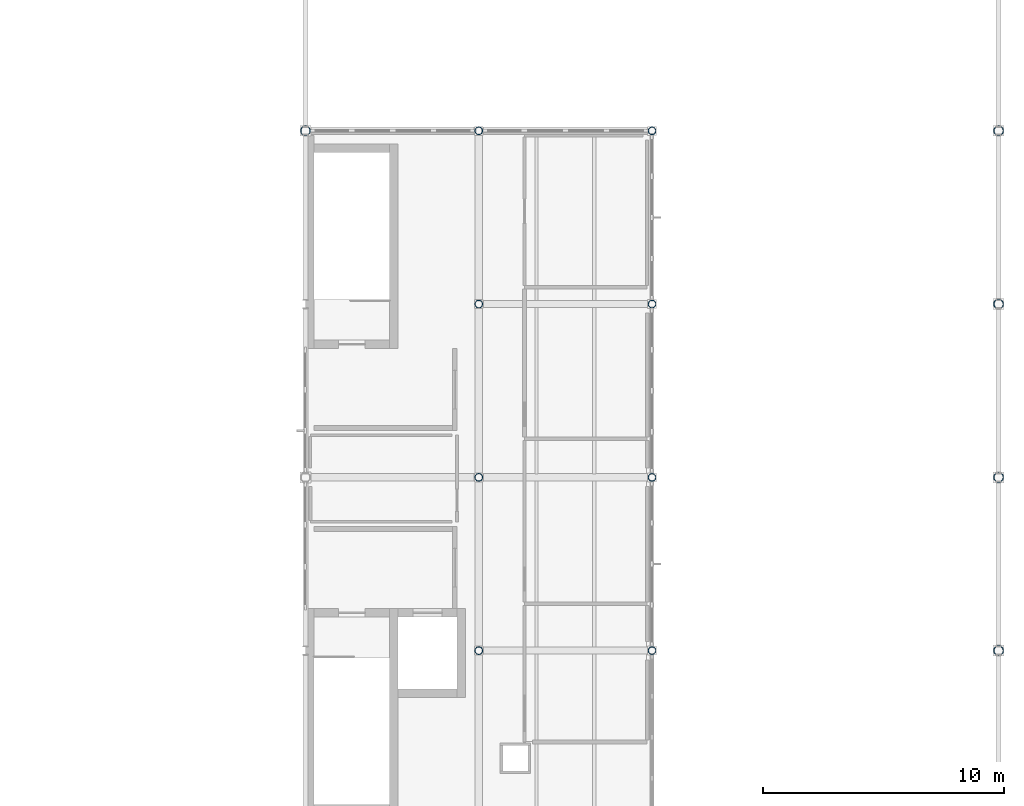
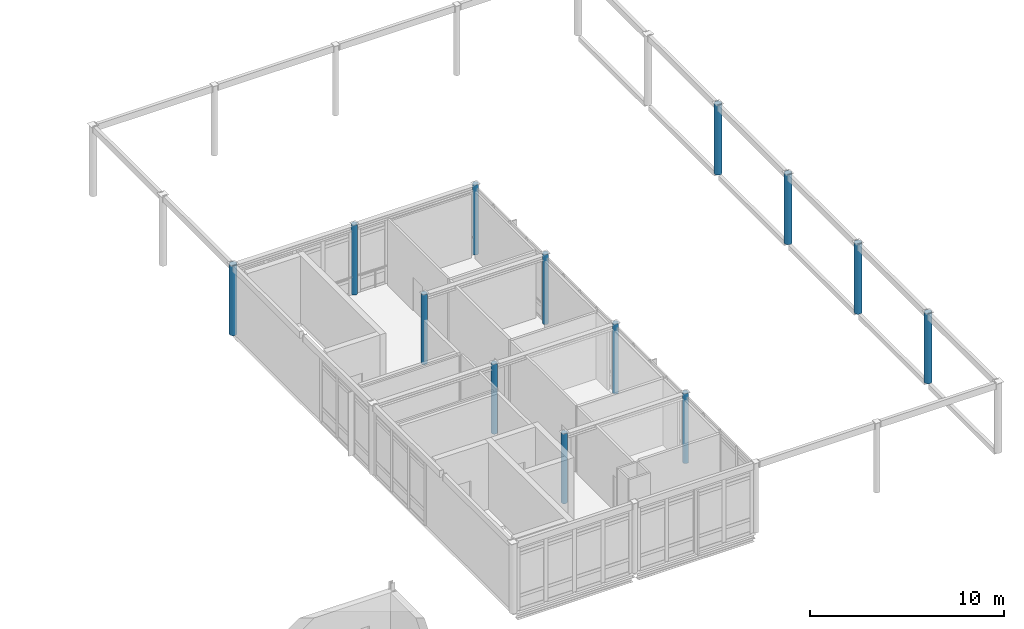
# One storey, part 7 of 72: 13 columns.
"""IFC4 building model written with IfcOpenShell, lengths in metres."""

from ifc_helpers import new_model, si_unit, direction, frame, origin, origin_2d, place, context, subcontext, project, spatial, hollow_circle, extrude, material, material_profile, profile_set, type_object, element, save


model = new_model("IFC4")

# Units and contexts
model_context = context("Model", 3, precision=1e-05, world=origin(), true_north=direction((0.0, 1.0)))
body_context = subcontext(model_context, "Body", "Model", "MODEL_VIEW")
ifc_project = project(units=[si_unit("LENGTHUNIT", "METRE"), si_unit("AREAUNIT", "SQUARE_METRE"), si_unit("VOLUMEUNIT", "CUBIC_METRE"), si_unit("PLANEANGLEUNIT", "RADIAN"), si_unit("MASSUNIT", "GRAM", prefix="KILO")], contexts=[model_context])

# Site, building, storey
site_placement = place(None, origin())
site = spatial("IfcSite", under=ifc_project, at=site_placement, CompositionType="ELEMENT")
building_placement = place(site_placement, origin())
building = spatial("IfcBuilding", under=site, at=building_placement, Name="Zarrinpeak Specialist Clinic", CompositionType="ELEMENT")
storey_placement = place(building_placement, frame((0.0, 0.0, 9.60009765625)))
storey = spatial("IfcBuildingStorey", under=building, at=storey_placement, Name="L02", CompositionType="ELEMENT", Elevation=9.60009765625)

# Columns
ifc_material = material(Name="Steel S355", Category="steel")
ifc_material_profile_1 = material_profile(ifc_material, hollow_circle(Radius=0.161865234375, WallThickness=0.012451171875, at=origin_2d()), Name="CHS 323.9x12.5")
ifc_profile_set_1 = profile_set([ifc_material_profile_1], Name="Steel S355")
column_type_1 = type_object("IfcColumnType", Name="COL-CHS324", PredefinedType="COLUMN", material=ifc_profile_set_1)
for number, where, z_axis, x_axis, name in (
    (1, (100.800048828125, 36.0, 0.0), (0.0, 0.0, 1.0), (1.0, 0.0, 0.0), "L02 Structural Column COL-L02-144"),
    (2, (100.800048828125, 43.199951171875, 0.0), (0.0, 0.0, 1.0), (1.0, 0.0, 0.0), "L02 Structural Column COL-L02-145"),
    (3, (100.800048828125, 50.39990234375, 0.0), (0.0, 0.0, 1.0), (1.0, 0.0, 0.0), "L02 Structural Column COL-L02-146"),
    (4, (100.800048828125, 57.60009765625, 0.0), (0.0, 0.0, 1.0), (1.0, 0.0, 0.0), "L02 Structural Column COL-L02-147"),
    (5, (108.0, 36.0, 0.0), (0.0, 0.0, 1.0), (1.0, 0.0, 0.0), "L02 Structural Column COL-L02-150"),
    (6, (108.0, 43.199951171875, 0.0), (0.0, 0.0, 1.0), (1.0, 0.0, 0.0), "L02 Structural Column COL-L02-151"),
    (7, (108.0, 50.39990234375, 0.0), (0.0, 0.0, 1.0), (1.0, 0.0, 0.0), "L02 Structural Column COL-L02-152"),
    (8, (108.0, 57.60009765625, 0.0), (0.0, 0.0, 1.0), (1.0, 0.0, 0.0), "L02 Structural Column COL-L02-153"),
):
    element("IfcColumn", number, at=place(storey_placement, frame(where, z_axis=z_axis, x_axis=x_axis)), inside=storey, type_object=column_type_1, Name=name, PredefinedType="COLUMN", context=body_context, shape_type="SweptSolid", body=[
        extrude(hollow_circle(Radius=0.161865234375, WallThickness=0.012451171875, at=origin_2d()), origin(), (0.0, 0.0, 1.0), 4.39990234375),
    ])
ifc_material_profile_2 = material_profile(ifc_material, hollow_circle(Radius=0.203125, WallThickness=0.01611328125, at=origin_2d()), Name="CHS 406.4x16.0")
ifc_profile_set_2 = profile_set([ifc_material_profile_2], Name="Steel S355")
column_type_2 = type_object("IfcColumnType", Name="COL-CHS406", PredefinedType="COLUMN", material=ifc_profile_set_2)
for number, where, z_axis, x_axis, name in (
    (9, (93.60009765625, 57.60009765625, 0.0), (0.0, 0.0, 1.0), (1.0, 0.0, 0.0), "L02 Structural Column COL-L02-140"),
    (10, (122.39990234375, 36.0, 0.0), (0.0, 0.0, 1.0), (1.0, 0.0, 0.0), "L02 Structural Column COL-L02-158"),
    (11, (122.39990234375, 43.199951171875, 0.0), (0.0, 0.0, 1.0), (1.0, 0.0, 0.0), "L02 Structural Column COL-L02-159"),
    (12, (122.39990234375, 50.39990234375, 0.0), (0.0, 0.0, 1.0), (1.0, 0.0, 0.0), "L02 Structural Column COL-L02-160"),
    (13, (122.39990234375, 57.60009765625, 0.0), (0.0, 0.0, 1.0), (1.0, 0.0, 0.0), "L02 Structural Column COL-L02-161"),
):
    element("IfcColumn", number, at=place(storey_placement, frame(where, z_axis=z_axis, x_axis=x_axis)), inside=storey, type_object=column_type_2, Name=name, PredefinedType="COLUMN", context=body_context, shape_type="SweptSolid", body=[
        extrude(hollow_circle(Radius=0.203125, WallThickness=0.01611328125, at=origin_2d()), origin(), (0.0, 0.0, 1.0), 4.39990234375),
    ])

save(model, "model.ifc")
